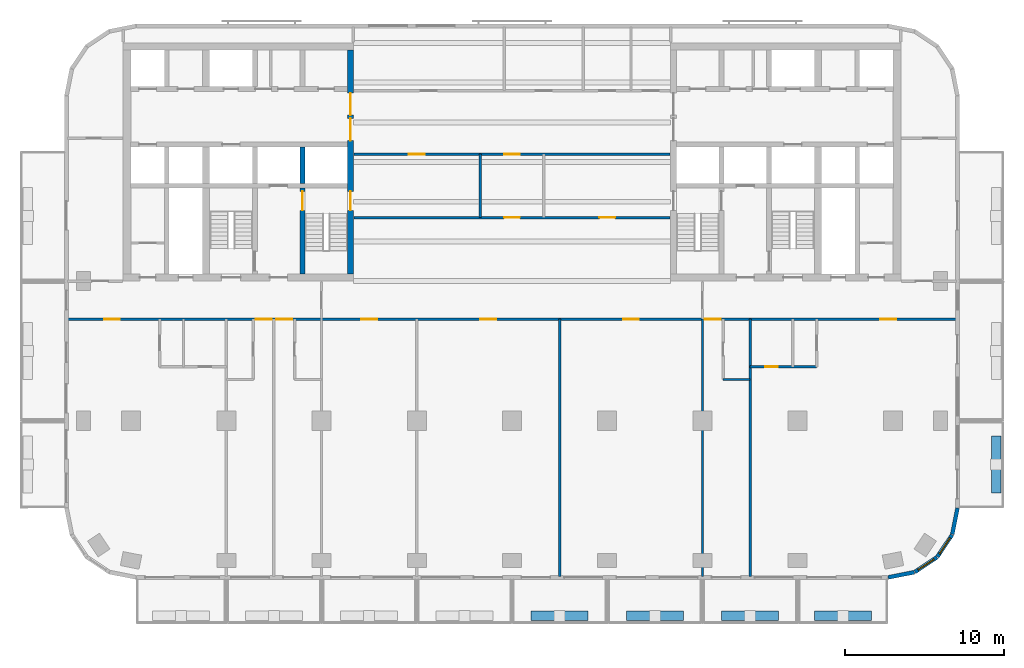
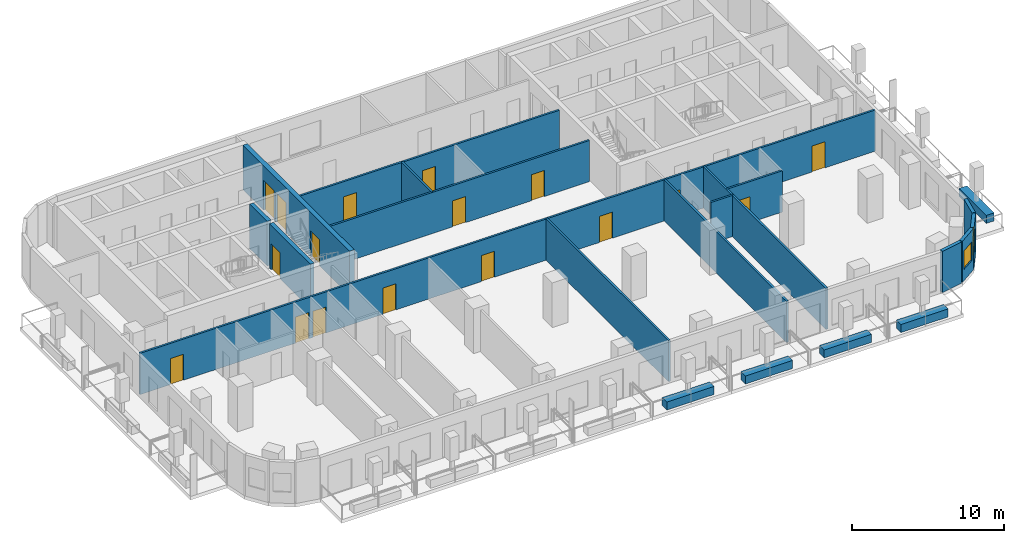
# One storey, part 4 of 11: 21 walls, 17 doors, 2 windows, 19 openings.
"""IFC4 building model written with IfcOpenShell, lengths in metres."""

from ifc_helpers import new_model, si_unit, direction, frame, frame_2d, origin, place, context, subcontext, project, spatial, rectangle, extrude, material, layer, layer_set, type_object, element, fill, save


model = new_model("IFC4")

# Units and contexts
model_context = context("Model", 3, precision=1e-05, world=origin(), true_north=direction((0.0, 1.0)))
body_context = subcontext(model_context, "Body", "Model", "MODEL_VIEW")
ifc_project = project(units=[si_unit("LENGTHUNIT", "METRE"), si_unit("AREAUNIT", "SQUARE_METRE"), si_unit("VOLUMEUNIT", "CUBIC_METRE"), si_unit("PLANEANGLEUNIT", "RADIAN"), si_unit("MASSUNIT", "GRAM", prefix="KILO")], contexts=[model_context])

# Site, building, storey
site_placement = place(None, origin())
site = spatial("IfcSite", under=ifc_project, at=site_placement, CompositionType="ELEMENT")
building_placement = place(site_placement, origin())
building = spatial("IfcBuilding", under=site, at=building_placement, Name="Torana Hotel and Residences", CompositionType="ELEMENT")
storey_placement = place(building_placement, frame((0.0, 0.0, 138.0)))
storey = spatial("IfcBuildingStorey", under=building, at=storey_placement, Name="L35", CompositionType="ELEMENT", Elevation=138.0)

# Wall
ifc_material_1 = material(Name="Concrete C70/85", Category="concrete")
ifc_layer_1 = layer(ifc_material_1, 0.300048828125)
ifc_layer_set_1 = layer_set([ifc_layer_1], Name="CORE WALL 300 C70/85")
wall_type_1 = type_object("IfcWallType", Name="CORE WALL 300 C70/85", PredefinedType="SHEAR", material=ifc_layer_set_1)
wall_1_placement = place(storey_placement, frame((-13.199951171875, -8.85009765625, 0.0), z_axis=(0.0, 0.0, 1.0), x_axis=(0.0, 1.0, 0.0)))
element("IfcWall", 1, at=wall_1_placement, inside=storey, type_object=wall_type_1, Name="Core wall W x3.05-S", PredefinedType="SHEAR", context=body_context, shape_type="SweptSolid", body=[
    extrude(rectangle(XDim=2.300048828125, YDim=0.300048828125, at=frame_2d((1.14990234375, 0.0))), origin(), (0.0, 0.0, 1.0), 3.60009765625),
])

# Wall, opening, door
wall_2_placement = place(storey_placement, frame((-13.199951171875, -14.550048828125, 0.0), z_axis=(0.0, 0.0, 1.0), x_axis=(0.0, 1.0, 0.0)))
wall_2 = element("IfcWall", 2, at=wall_2_placement, inside=storey, type_object=wall_type_1, Name="Core wall W x3.05-band", PredefinedType="SHEAR", context=body_context, shape_type="SweptSolid", body=[
    extrude(rectangle(XDim=5.400146484375, YDim=0.300048828125, at=frame_2d((2.7001953125, 0.0))), origin(), (0.0, 0.0, 1.0), 3.60009765625),
])
opening_1_placement = place(wall_2_placement, frame((4.0, 0.0, 0.0)))
opening_1 = element("IfcOpeningElement", 3, at=opening_1_placement, cuts=wall_2, Name="Opening L35-13", PredefinedType="OPENING", context=body_context, shape_type="SweptSolid", body=[
    extrude(rectangle(XDim=1.199951171875, YDim=2.10009765625, at=frame_2d((0.60009765625, 1.050048828125))), frame((0.0, 0.159912109375, 0.0), z_axis=(0.0, -1.0, 0.0), x_axis=(1.0, 0.0, 0.0)), (0.0, 0.0, 1.0), 0.320068359375),
])
ifc_material_2 = material(Name="Steel S235", Category="steel")
door_type_1 = type_object("IfcDoorType", Name="STAIR FIRE DOOR D3 1200x2100", OperationType="SINGLE_SWING_LEFT", PredefinedType="DOOR", material=ifc_material_2)
door_1_placement = place(opening_1_placement, frame((0.60009765625, 0.0, 0.0), z_axis=(0.0, 0.0, 1.0), x_axis=(-1.0, 0.0, 0.0)))
door_1 = element("IfcDoor", 4, at=door_1_placement, inside=storey, type_object=door_type_1, Name="Stair-A-lobby door L35", OperationType="SINGLE_SWING_RIGHT", OverallHeight=2.10009765625, OverallWidth=1.199951171875, PredefinedType="DOOR", context=body_context, shape_type="SweptSolid", body=[
    extrude(rectangle(XDim=1.199951171875, YDim=2.10009765625, at=frame_2d((0.0, 1.050048828125))), frame((0.0, -0.02490234375, 0.0), z_axis=(0.0, 1.0, 0.0), x_axis=(-1.0, 0.0, 0.0)), (0.0, 0.0, 1.0), 0.050048828125),
])
fill(opening_1, door_1)

# Wall, openings, doors
ifc_material_3 = material(Name="Concrete C70/85", Category="concrete")
ifc_layer_2 = layer(ifc_material_3, 0.35009765625)
ifc_layer_set_2 = layer_set([ifc_layer_2], Name="CORE WALL 350 C70/85")
wall_type_2 = type_object("IfcWallType", Name="CORE WALL 350 C70/85", PredefinedType="SHEAR", material=ifc_layer_set_2)
wall_3_placement = place(storey_placement, frame((-10.175048828125, -14.550048828125, 0.0), z_axis=(0.0, 0.0, 1.0), x_axis=(0.0, 1.0, 0.0)))
wall_3 = element("IfcWall", 5, at=wall_3_placement, inside=storey, type_object=wall_type_2, Name="Core wall W arch", PredefinedType="SHEAR", context=body_context, shape_type="SweptSolid", body=[
    extrude(rectangle(XDim=14.10009765625, YDim=0.35009765625, at=frame_2d((7.050048828125, 0.0))), origin(), (0.0, 0.0, 1.0), 3.60009765625),
])
opening_2_placement = place(wall_3_placement, frame((8.39990234375, 0.0, 0.0)))
opening_2 = element("IfcOpeningElement", 6, at=opening_2_placement, cuts=wall_3, Name="Opening L35-01", PredefinedType="OPENING", context=body_context, shape_type="SweptSolid", body=[
    extrude(rectangle(XDim=1.39990234375, YDim=2.39990234375, at=frame_2d((0.699951171875, 1.199951171875))), frame((0.0, 0.18505859375, 0.0), z_axis=(0.0, -1.0, 0.0), x_axis=(1.0, 0.0, 0.0)), (0.0, 0.0, 1.0), 0.3701171875),
])
opening_3_placement = place(wall_3_placement, frame((10.0, 0.0, 0.0)))
opening_3 = element("IfcOpeningElement", 7, at=opening_3_placement, cuts=wall_3, Name="Opening L35-02", PredefinedType="OPENING", context=body_context, shape_type="SweptSolid", body=[
    extrude(rectangle(XDim=1.39990234375, YDim=2.39990234375, at=frame_2d((0.699951171875, 1.199951171875))), frame((0.0, 0.18505859375, 0.0), z_axis=(0.0, -1.0, 0.0), x_axis=(1.0, 0.0, 0.0)), (0.0, 0.0, 1.0), 0.3701171875),
])
opening_4_placement = place(wall_3_placement, frame((4.0, 0.0, 0.0)))
opening_4 = element("IfcOpeningElement", 8, at=opening_4_placement, cuts=wall_3, Name="Opening L35-03", PredefinedType="OPENING", context=body_context, shape_type="SweptSolid", body=[
    extrude(rectangle(XDim=1.199951171875, YDim=2.10009765625, at=frame_2d((0.60009765625, 1.050048828125))), frame((0.0, 0.18505859375, 0.0), z_axis=(0.0, -1.0, 0.0), x_axis=(1.0, 0.0, 0.0)), (0.0, 0.0, 1.0), 0.3701171875),
])
ifc_material_4 = material(Name="Steel S235", Category="steel")
door_type_2 = type_object("IfcDoorType", Name="LOBBY FIRE DOOR D4 1400x2400", OperationType="DOUBLE_DOOR_SINGLE_SWING", PredefinedType="DOOR", material=ifc_material_4)
door_2_placement = place(opening_2_placement, origin())
door_2 = element("IfcDoor", 9, at=door_2_placement, inside=storey, type_object=door_type_2, Name="Lobby-1 door L35", OperationType="DOUBLE_DOOR_SINGLE_SWING", OverallHeight=2.39990234375, OverallWidth=1.39990234375, PredefinedType="DOOR", context=body_context, shape_type="SweptSolid", body=[
    extrude(rectangle(XDim=1.39990234375, YDim=2.39990234375, at=frame_2d((0.699951171875, 1.199951171875))), frame((0.0, 0.02490234375, 0.0), z_axis=(0.0, -1.0, 0.0), x_axis=(1.0, 0.0, 0.0)), (0.0, 0.0, 1.0), 0.050048828125),
])
fill(opening_2, door_2)
door_3_placement = place(opening_3_placement, origin())
door_3 = element("IfcDoor", 10, at=door_3_placement, inside=storey, type_object=door_type_2, Name="Lobby-2 door L35", OperationType="DOUBLE_DOOR_SINGLE_SWING", OverallHeight=2.39990234375, OverallWidth=1.39990234375, PredefinedType="DOOR", context=body_context, shape_type="SweptSolid", body=[
    extrude(rectangle(XDim=1.39990234375, YDim=2.39990234375, at=frame_2d((0.699951171875, 1.199951171875))), frame((0.0, 0.02490234375, 0.0), z_axis=(0.0, -1.0, 0.0), x_axis=(1.0, 0.0, 0.0)), (0.0, 0.0, 1.0), 0.050048828125),
])
fill(opening_3, door_3)
door_4_placement = place(opening_4_placement, origin())
door_4 = element("IfcDoor", 11, at=door_4_placement, inside=storey, type_object=door_type_1, Name="Stair-A door L35", OperationType="SINGLE_SWING_LEFT", OverallHeight=2.10009765625, OverallWidth=1.199951171875, PredefinedType="DOOR", context=body_context, shape_type="SweptSolid", body=[
    extrude(rectangle(XDim=1.199951171875, YDim=2.10009765625, at=frame_2d((0.60009765625, 1.050048828125))), frame((0.0, 0.02490234375, 0.0), z_axis=(0.0, -1.0, 0.0), x_axis=(1.0, 0.0, 0.0)), (0.0, 0.0, 1.0), 0.050048828125),
])
fill(opening_4, door_4)

# Wall
ifc_material_5 = material(Name="Black aluminium composite panel", Category="aluminium")
ifc_layer_3 = layer(ifc_material_5, 0.00390625, Name="Cladding", Category="cladding")
ifc_material_6 = material(Name="Ventilated air cavity")
ifc_layer_4 = layer(ifc_material_6, 0.0400390625, Name="Ventilated cavity", Category="cavity")
ifc_material_7 = material(Name="Mineral wool insulation")
ifc_layer_5 = layer(ifc_material_7, 0.090087890625, Name="Insulation", Category="insulation")
ifc_material_8 = material(Name="Steel S280GD", Category="steel")
ifc_layer_6 = layer(ifc_material_8, 0.092041015625, Name="Steel stud frame", Category="structure")
ifc_material_9 = material(Name="Fire rated plasterboard")
ifc_layer_7 = layer(ifc_material_9, 0.011962890625, Name="Inner board", Category="finish")
ifc_layer_8 = layer(ifc_material_9, 0.011962890625, Name="Second board", Category="finish")
ifc_layer_set_3 = layer_set([ifc_layer_3, ifc_layer_4, ifc_layer_5, ifc_layer_6, ifc_layer_7, ifc_layer_8], Name="EW1 EXTERNAL WALL BLACK METAL CLAD 250")
wall_type_3 = type_object("IfcWallType", Name="EW1 EXTERNAL WALL BLACK METAL CLAD 250", PredefinedType="SOLIDWALL", material=ifc_layer_set_3)
wall_4_placement = place(storey_placement, frame((23.69970703125, -33.672607421875, 0.0), z_axis=(0.0, 0.0, 1.0), x_axis=(0.980775640221, 0.19513878023, 0.0)))
element("IfcWall", 12, at=wall_4_placement, inside=storey, type_object=wall_type_3, Name="External wall L35 e0.15", PredefinedType="SOLIDWALL", context=body_context, shape_type="SweptSolid", body=[
    extrude(rectangle(XDim=1.681396484375, YDim=0.25, at=frame_2d((0.8408203125, 0.0))), origin(), (0.0, 0.0, 1.0), 3.320068359375),
])

# Wall, opening, window
wall_5_placement = place(storey_placement, frame((25.39404296875, -33.325927734375, 0.0), z_axis=(0.0, 0.0, 1.0), x_axis=(0.831482937015, 0.55555029066, 0.0)))
wall_5 = element("IfcWall", 13, at=wall_5_placement, inside=storey, type_object=wall_type_3, Name="External wall L35 e0.16", PredefinedType="SOLIDWALL", context=body_context, shape_type="SweptSolid", body=[
    extrude(rectangle(XDim=1.65625, YDim=0.25, at=frame_2d((0.828125, 0.0))), origin(), (0.0, 0.0, 1.0), 3.320068359375),
])
opening_5_placement = place(wall_5_placement, frame((0.228271484375, 0.0, 0.89990234375)))
opening_5 = element("IfcOpeningElement", 14, at=opening_5_placement, cuts=wall_5, Name="Opening W5", PredefinedType="OPENING", context=body_context, shape_type="SweptSolid", body=[
    extrude(rectangle(XDim=1.199951171875, YDim=1.5, at=frame_2d((0.60009765625, 0.75))), frame((0.0, 0.135009765625, 0.0), z_axis=(0.0, -1.0, 0.0), x_axis=(1.0, 0.0, 0.0)), (0.0, 0.0, 1.0), 0.27001953125),
])
ifc_material_10 = material(Name="Dark glass in black aluminium frame", Category="aluminium")
window_type = type_object("IfcWindowType", Name="W5 CORNER FACET WINDOW 1200x1500", PartitioningType="SINGLE_PANEL", PredefinedType="WINDOW", material=ifc_material_10)
window_1_placement = place(opening_5_placement, origin())
window_1 = element("IfcWindow", 15, at=window_1_placement, inside=storey, type_object=window_type, Name="Window L35 e0.16", OverallHeight=1.5, OverallWidth=1.199951171875, PartitioningType="SINGLE_PANEL", PredefinedType="WINDOW", context=body_context, shape_type="SweptSolid", body=[
    extrude(rectangle(XDim=1.199951171875, YDim=1.5, at=frame_2d((0.60009765625, 0.75))), frame((0.0, 0.030029296875, 0.0), z_axis=(0.0, -1.0, 0.0), x_axis=(1.0, 0.0, 0.0)), (0.0, 0.0, 1.0), 0.06005859375),
])
fill(opening_5, window_1)

wall_6_placement = place(storey_placement, frame((26.8056640625, -32.37109375, 0.0), z_axis=(0.0, 0.0, 1.0), x_axis=(0.55555029066, 0.831482937015, 0.0)))
wall_6 = element("IfcWall", 16, at=wall_6_placement, inside=storey, type_object=wall_type_3, Name="External wall L35 e0.17", PredefinedType="SOLIDWALL", context=body_context, shape_type="SweptSolid", body=[
    extrude(rectangle(XDim=1.65625, YDim=0.25, at=frame_2d((0.828125, 0.0))), origin(), (0.0, 0.0, 1.0), 3.320068359375),
])
opening_6_placement = place(wall_6_placement, frame((0.228271484375, 0.0, 0.89990234375)))
opening_6 = element("IfcOpeningElement", 17, at=opening_6_placement, cuts=wall_6, Name="Opening W5", PredefinedType="OPENING", context=body_context, shape_type="SweptSolid", body=[
    extrude(rectangle(XDim=1.199951171875, YDim=1.5, at=frame_2d((0.60009765625, 0.75))), frame((0.0, 0.135009765625, 0.0), z_axis=(0.0, -1.0, 0.0), x_axis=(1.0, 0.0, 0.0)), (0.0, 0.0, 1.0), 0.27001953125),
])
window_2_placement = place(opening_6_placement, origin())
window_2 = element("IfcWindow", 18, at=window_2_placement, inside=storey, type_object=window_type, Name="Window L35 e0.17", OverallHeight=1.5, OverallWidth=1.199951171875, PartitioningType="SINGLE_PANEL", PredefinedType="WINDOW", context=body_context, shape_type="SweptSolid", body=[
    extrude(rectangle(XDim=1.199951171875, YDim=1.5, at=frame_2d((0.60009765625, 0.75))), frame((0.0, 0.030029296875, 0.0), z_axis=(0.0, -1.0, 0.0), x_axis=(1.0, 0.0, 0.0)), (0.0, 0.0, 1.0), 0.06005859375),
])
fill(opening_6, window_2)

# Walls
wall_7_placement = place(storey_placement, frame((27.74462890625, -30.948974609375, 0.0), z_axis=(0.0, 0.0, 1.0), x_axis=(0.194999110559, 0.980803419081, 0.0)))
element("IfcWall", 19, at=wall_7_placement, inside=storey, type_object=wall_type_3, Name="External wall L35 e0.18", PredefinedType="SOLIDWALL", context=body_context, shape_type="SweptSolid", body=[
    extrude(rectangle(XDim=1.681396484375, YDim=0.25, at=frame_2d((0.8408203125, 0.0))), origin(), (0.0, 0.0, 1.0), 3.320068359375),
])
ifc_material_11 = material(Name="Gypsum plaster")
ifc_layer_9 = layer(ifc_material_11, 0.014892578125, Name="Plaster", Category="finish")
ifc_material_12 = material(Name="Concrete blockwork", Category="masonry")
ifc_layer_10 = layer(ifc_material_12, 0.1201171875, Name="Blockwork", Category="structure")
ifc_layer_11 = layer(ifc_material_11, 0.014892578125, Name="Plaster", Category="finish")
ifc_layer_set_4 = layer_set([ifc_layer_9, ifc_layer_10, ifc_layer_11], Name="FIRE PARTITION 150 BLOCKWORK")
wall_type_4 = type_object("IfcWallType", Name="FIRE PARTITION 150 BLOCKWORK", PredefinedType="PARTITIONING", material=ifc_layer_set_4)
wall_8_placement = place(storey_placement, frame((-2.0, -11.0, 0.0), z_axis=(0.0, 0.0, 1.0), x_axis=(0.0, 1.0, 0.0)))
element("IfcWall", 20, at=wall_8_placement, inside=storey, type_object=wall_type_4, Name="Partition L35", PredefinedType="PARTITIONING", context=body_context, shape_type="SweptSolid", body=[
    extrude(rectangle(XDim=4.0, YDim=0.14990234375, at=frame_2d((2.0, 0.0))), origin(), (0.0, 0.0, 1.0), 3.320068359375),
])

# Wall, openings, doors
wall_9_placement = place(storey_placement, frame((-28.02001953125, -17.39990234375, 0.0), z_axis=(0.0, 0.0, 1.0), x_axis=(1.0, 0.0, 0.0)))
wall_9 = element("IfcWall", 21, at=wall_9_placement, inside=storey, type_object=wall_type_4, Name="Partition L35", PredefinedType="PARTITIONING", context=body_context, shape_type="SweptSolid", body=[
    extrude(rectangle(XDim=56.0400390625, YDim=0.14990234375, at=frame_2d((28.02001953125, 0.0))), origin(), (0.0, 0.0, 1.0), 3.320068359375),
])
opening_7_placement = place(wall_9_placement, frame((13.169921875, 0.0, 0.0)))
opening_7 = element("IfcOpeningElement", 22, at=opening_7_placement, cuts=wall_9, Name="Opening L35-32", PredefinedType="OPENING", context=body_context, shape_type="SweptSolid", body=[
    extrude(rectangle(XDim=1.0, YDim=2.10009765625, at=frame_2d((0.5, 1.050048828125))), frame((0.0, 0.0849609375, 0.0), z_axis=(0.0, -1.0, 0.0), x_axis=(1.0, 0.0, 0.0)), (0.0, 0.0, 1.0), 0.169921875),
])
opening_8_placement = place(wall_9_placement, frame((11.8701171875, 0.0, 0.0)))
opening_8 = element("IfcOpeningElement", 23, at=opening_8_placement, cuts=wall_9, Name="Opening L35-33", PredefinedType="OPENING", context=body_context, shape_type="SweptSolid", body=[
    extrude(rectangle(XDim=1.0, YDim=2.10009765625, at=frame_2d((0.5, 1.050048828125))), frame((0.0, 0.0849609375, 0.0), z_axis=(0.0, -1.0, 0.0), x_axis=(1.0, 0.0, 0.0)), (0.0, 0.0, 1.0), 0.169921875),
])
opening_9_placement = place(wall_9_placement, frame((2.320068359375, 0.0, 0.0)))
opening_9 = element("IfcOpeningElement", 24, at=opening_9_placement, cuts=wall_9, Name="Opening L35-34", PredefinedType="OPENING", context=body_context, shape_type="SweptSolid", body=[
    extrude(rectangle(XDim=1.0, YDim=2.10009765625, at=frame_2d((0.5, 1.050048828125))), frame((0.0, 0.0849609375, 0.0), z_axis=(0.0, -1.0, 0.0), x_axis=(1.0, 0.0, 0.0)), (0.0, 0.0, 1.0), 0.169921875),
])
opening_10_placement = place(wall_9_placement, frame((40.169921875, 0.0, 0.0)))
opening_10 = element("IfcOpeningElement", 25, at=opening_10_placement, cuts=wall_9, Name="Opening L35-37", PredefinedType="OPENING", context=body_context, shape_type="SweptSolid", body=[
    extrude(rectangle(XDim=1.0, YDim=2.10009765625, at=frame_2d((0.5, 1.050048828125))), frame((0.0, 0.0849609375, 0.0), z_axis=(0.0, -1.0, 0.0), x_axis=(1.0, 0.0, 0.0)), (0.0, 0.0, 1.0), 0.169921875),
])
opening_11_placement = place(wall_9_placement, frame((51.219970703125, 0.0, 0.0)))
opening_11 = element("IfcOpeningElement", 26, at=opening_11_placement, cuts=wall_9, Name="Opening L35-38", PredefinedType="OPENING", context=body_context, shape_type="SweptSolid", body=[
    extrude(rectangle(XDim=1.0, YDim=2.10009765625, at=frame_2d((0.5, 1.050048828125))), frame((0.0, 0.0849609375, 0.0), z_axis=(0.0, -1.0, 0.0), x_axis=(1.0, 0.0, 0.0)), (0.0, 0.0, 1.0), 0.169921875),
])
opening_12_placement = place(wall_9_placement, frame((18.52001953125, 0.0, 0.0)))
opening_12 = element("IfcOpeningElement", 27, at=opening_12_placement, cuts=wall_9, Name="Opening L35-41", PredefinedType="OPENING", context=body_context, shape_type="SweptSolid", body=[
    extrude(rectangle(XDim=1.0, YDim=2.10009765625, at=frame_2d((0.5, 1.050048828125))), frame((0.0, 0.0849609375, 0.0), z_axis=(0.0, -1.0, 0.0), x_axis=(1.0, 0.0, 0.0)), (0.0, 0.0, 1.0), 0.169921875),
])
opening_13_placement = place(wall_9_placement, frame((26.02001953125, 0.0, 0.0)))
opening_13 = element("IfcOpeningElement", 28, at=opening_13_placement, cuts=wall_9, Name="Opening L35-42", PredefinedType="OPENING", context=body_context, shape_type="SweptSolid", body=[
    extrude(rectangle(XDim=1.0, YDim=2.10009765625, at=frame_2d((0.5, 1.050048828125))), frame((0.0, 0.0849609375, 0.0), z_axis=(0.0, -1.0, 0.0), x_axis=(1.0, 0.0, 0.0)), (0.0, 0.0, 1.0), 0.169921875),
])
opening_14_placement = place(wall_9_placement, frame((35.02001953125, 0.0, 0.0)))
opening_14 = element("IfcOpeningElement", 29, at=opening_14_placement, cuts=wall_9, Name="Opening L35-43", PredefinedType="OPENING", context=body_context, shape_type="SweptSolid", body=[
    extrude(rectangle(XDim=1.0, YDim=2.10009765625, at=frame_2d((0.5, 1.050048828125))), frame((0.0, 0.0849609375, 0.0), z_axis=(0.0, -1.0, 0.0), x_axis=(1.0, 0.0, 0.0)), (0.0, 0.0, 1.0), 0.169921875),
])
ifc_material_13 = material(Name="Steel S235", Category="steel")
door_type_3 = type_object("IfcDoorType", Name="ENTRY FIRE DOOR D6 1000x2100", OperationType="SINGLE_SWING_LEFT", PredefinedType="DOOR", material=ifc_material_13)
door_5_placement = place(opening_7_placement, frame((0.5, 0.0, 0.0), z_axis=(0.0, 0.0, 1.0), x_axis=(-1.0, 0.0, 0.0)))
door_5 = element("IfcDoor", 30, at=door_5_placement, inside=storey, type_object=door_type_3, Name="Door L35", OperationType="SINGLE_SWING_LEFT", OverallHeight=2.10009765625, OverallWidth=1.0, PredefinedType="DOOR", context=body_context, shape_type="SweptSolid", body=[
    extrude(rectangle(XDim=1.0, YDim=2.10009765625, at=frame_2d((0.0, 1.050048828125))), frame((0.0, -0.02490234375, 0.0), z_axis=(0.0, 1.0, 0.0), x_axis=(-1.0, 0.0, 0.0)), (0.0, 0.0, 1.0), 0.050048828125),
])
fill(opening_7, door_5)
door_6_placement = place(opening_8_placement, frame((0.5, 0.0, 0.0), z_axis=(0.0, 0.0, 1.0), x_axis=(-1.0, 0.0, 0.0)))
door_6 = element("IfcDoor", 31, at=door_6_placement, inside=storey, type_object=door_type_3, Name="Door L35", OperationType="SINGLE_SWING_LEFT", OverallHeight=2.10009765625, OverallWidth=1.0, PredefinedType="DOOR", context=body_context, shape_type="SweptSolid", body=[
    extrude(rectangle(XDim=1.0, YDim=2.10009765625, at=frame_2d((0.0, 1.050048828125))), frame((0.0, -0.02490234375, 0.0), z_axis=(0.0, 1.0, 0.0), x_axis=(-1.0, 0.0, 0.0)), (0.0, 0.0, 1.0), 0.050048828125),
])
fill(opening_8, door_6)
door_7_placement = place(opening_9_placement, frame((0.5, 0.0, 0.0), z_axis=(0.0, 0.0, 1.0), x_axis=(-1.0, 0.0, 0.0)))
door_7 = element("IfcDoor", 32, at=door_7_placement, inside=storey, type_object=door_type_3, Name="Door L35", OperationType="SINGLE_SWING_LEFT", OverallHeight=2.10009765625, OverallWidth=1.0, PredefinedType="DOOR", context=body_context, shape_type="SweptSolid", body=[
    extrude(rectangle(XDim=1.0, YDim=2.10009765625, at=frame_2d((0.0, 1.050048828125))), frame((0.0, -0.02490234375, 0.0), z_axis=(0.0, 1.0, 0.0), x_axis=(-1.0, 0.0, 0.0)), (0.0, 0.0, 1.0), 0.050048828125),
])
fill(opening_9, door_7)
door_8_placement = place(opening_10_placement, frame((0.5, 0.0, 0.0), z_axis=(0.0, 0.0, 1.0), x_axis=(-1.0, 0.0, 0.0)))
door_8 = element("IfcDoor", 33, at=door_8_placement, inside=storey, type_object=door_type_3, Name="Door L35", OperationType="SINGLE_SWING_LEFT", OverallHeight=2.10009765625, OverallWidth=1.0, PredefinedType="DOOR", context=body_context, shape_type="SweptSolid", body=[
    extrude(rectangle(XDim=1.0, YDim=2.10009765625, at=frame_2d((0.0, 1.050048828125))), frame((0.0, -0.02490234375, 0.0), z_axis=(0.0, 1.0, 0.0), x_axis=(-1.0, 0.0, 0.0)), (0.0, 0.0, 1.0), 0.050048828125),
])
fill(opening_10, door_8)
door_9_placement = place(opening_11_placement, frame((0.5, 0.0, 0.0), z_axis=(0.0, 0.0, 1.0), x_axis=(-1.0, 0.0, 0.0)))
door_9 = element("IfcDoor", 34, at=door_9_placement, inside=storey, type_object=door_type_3, Name="Door L35", OperationType="SINGLE_SWING_LEFT", OverallHeight=2.10009765625, OverallWidth=1.0, PredefinedType="DOOR", context=body_context, shape_type="SweptSolid", body=[
    extrude(rectangle(XDim=1.0, YDim=2.10009765625, at=frame_2d((0.0, 1.050048828125))), frame((0.0, -0.02490234375, 0.0), z_axis=(0.0, 1.0, 0.0), x_axis=(-1.0, 0.0, 0.0)), (0.0, 0.0, 1.0), 0.050048828125),
])
fill(opening_11, door_9)
door_10_placement = place(opening_12_placement, frame((0.5, 0.0, 0.0), z_axis=(0.0, 0.0, 1.0), x_axis=(-1.0, 0.0, 0.0)))
door_10 = element("IfcDoor", 35, at=door_10_placement, inside=storey, type_object=door_type_3, Name="Door L35", OperationType="SINGLE_SWING_LEFT", OverallHeight=2.10009765625, OverallWidth=1.0, PredefinedType="DOOR", context=body_context, shape_type="SweptSolid", body=[
    extrude(rectangle(XDim=1.0, YDim=2.10009765625, at=frame_2d((0.0, 1.050048828125))), frame((0.0, -0.02490234375, 0.0), z_axis=(0.0, 1.0, 0.0), x_axis=(-1.0, 0.0, 0.0)), (0.0, 0.0, 1.0), 0.050048828125),
])
fill(opening_12, door_10)
door_11_placement = place(opening_13_placement, frame((0.5, 0.0, 0.0), z_axis=(0.0, 0.0, 1.0), x_axis=(-1.0, 0.0, 0.0)))
door_11 = element("IfcDoor", 36, at=door_11_placement, inside=storey, type_object=door_type_3, Name="Door L35", OperationType="SINGLE_SWING_LEFT", OverallHeight=2.10009765625, OverallWidth=1.0, PredefinedType="DOOR", context=body_context, shape_type="SweptSolid", body=[
    extrude(rectangle(XDim=1.0, YDim=2.10009765625, at=frame_2d((0.0, 1.050048828125))), frame((0.0, -0.02490234375, 0.0), z_axis=(0.0, 1.0, 0.0), x_axis=(-1.0, 0.0, 0.0)), (0.0, 0.0, 1.0), 0.050048828125),
])
fill(opening_13, door_11)
door_12_placement = place(opening_14_placement, frame((0.5, 0.0, 0.0), z_axis=(0.0, 0.0, 1.0), x_axis=(-1.0, 0.0, 0.0)))
door_12 = element("IfcDoor", 37, at=door_12_placement, inside=storey, type_object=door_type_3, Name="Door L35", OperationType="SINGLE_SWING_LEFT", OverallHeight=2.10009765625, OverallWidth=1.0, PredefinedType="DOOR", context=body_context, shape_type="SweptSolid", body=[
    extrude(rectangle(XDim=1.0, YDim=2.10009765625, at=frame_2d((0.0, 1.050048828125))), frame((0.0, -0.02490234375, 0.0), z_axis=(0.0, 1.0, 0.0), x_axis=(-1.0, 0.0, 0.0)), (0.0, 0.0, 1.0), 0.050048828125),
])
fill(opening_14, door_12)

wall_10_placement = place(storey_placement, frame((-9.949951171875, -11.0, 0.0), z_axis=(0.0, 0.0, 1.0), x_axis=(1.0, 0.0, 0.0)))
wall_10 = element("IfcWall", 38, at=wall_10_placement, inside=storey, type_object=wall_type_4, Name="Partition L35", PredefinedType="PARTITIONING", context=body_context, shape_type="SweptSolid", body=[
    extrude(rectangle(XDim=19.89990234375, YDim=0.14990234375, at=frame_2d((9.949951171875, 0.0))), origin(), (0.0, 0.0, 1.0), 3.320068359375),
])
opening_15_placement = place(wall_10_placement, frame((9.449951171875, 0.0, 0.0)))
opening_15 = element("IfcOpeningElement", 39, at=opening_15_placement, cuts=wall_10, Name="Opening L35-40", PredefinedType="OPENING", context=body_context, shape_type="SweptSolid", body=[
    extrude(rectangle(XDim=1.0, YDim=2.10009765625, at=frame_2d((0.5, 1.050048828125))), frame((0.0, 0.0849609375, 0.0), z_axis=(0.0, -1.0, 0.0), x_axis=(1.0, 0.0, 0.0)), (0.0, 0.0, 1.0), 0.169921875),
])
opening_16_placement = place(wall_10_placement, frame((15.449951171875, 0.0, 0.0)))
opening_16 = element("IfcOpeningElement", 40, at=opening_16_placement, cuts=wall_10, Name="Opening L35-44", PredefinedType="OPENING", context=body_context, shape_type="SweptSolid", body=[
    extrude(rectangle(XDim=1.0, YDim=2.10009765625, at=frame_2d((0.5, 1.050048828125))), frame((0.0, 0.0849609375, 0.0), z_axis=(0.0, -1.0, 0.0), x_axis=(1.0, 0.0, 0.0)), (0.0, 0.0, 1.0), 0.169921875),
])
door_13_placement = place(opening_15_placement, origin())
door_13 = element("IfcDoor", 41, at=door_13_placement, inside=storey, type_object=door_type_3, Name="Door L35", OperationType="SINGLE_SWING_RIGHT", OverallHeight=2.10009765625, OverallWidth=1.0, PredefinedType="DOOR", context=body_context, shape_type="SweptSolid", body=[
    extrude(rectangle(XDim=1.0, YDim=2.10009765625, at=frame_2d((0.5, 1.050048828125))), frame((0.0, 0.02490234375, 0.0), z_axis=(0.0, -1.0, 0.0), x_axis=(1.0, 0.0, 0.0)), (0.0, 0.0, 1.0), 0.050048828125),
])
fill(opening_15, door_13)
door_14_placement = place(opening_16_placement, origin())
door_14 = element("IfcDoor", 42, at=door_14_placement, inside=storey, type_object=door_type_3, Name="Door L35", OperationType="SINGLE_SWING_RIGHT", OverallHeight=2.10009765625, OverallWidth=1.0, PredefinedType="DOOR", context=body_context, shape_type="SweptSolid", body=[
    extrude(rectangle(XDim=1.0, YDim=2.10009765625, at=frame_2d((0.5, 1.050048828125))), frame((0.0, 0.02490234375, 0.0), z_axis=(0.0, -1.0, 0.0), x_axis=(1.0, 0.0, 0.0)), (0.0, 0.0, 1.0), 0.050048828125),
])
fill(opening_16, door_14)

wall_11_placement = place(storey_placement, frame((-9.949951171875, -7.0, 0.0), z_axis=(0.0, 0.0, 1.0), x_axis=(1.0, 0.0, 0.0)))
wall_11 = element("IfcWall", 43, at=wall_11_placement, inside=storey, type_object=wall_type_4, Name="Partition L35", PredefinedType="PARTITIONING", context=body_context, shape_type="SweptSolid", body=[
    extrude(rectangle(XDim=19.89990234375, YDim=0.14990234375, at=frame_2d((9.949951171875, 0.0))), origin(), (0.0, 0.0, 1.0), 3.320068359375),
])
opening_17_placement = place(wall_11_placement, frame((9.449951171875, 0.0, 0.0)))
opening_17 = element("IfcOpeningElement", 44, at=opening_17_placement, cuts=wall_11, Name="Opening L35-45", PredefinedType="OPENING", context=body_context, shape_type="SweptSolid", body=[
    extrude(rectangle(XDim=1.0, YDim=2.10009765625, at=frame_2d((0.5, 1.050048828125))), frame((0.0, 0.0849609375, 0.0), z_axis=(0.0, -1.0, 0.0), x_axis=(1.0, 0.0, 0.0)), (0.0, 0.0, 1.0), 0.169921875),
])
opening_18_placement = place(wall_11_placement, frame((3.449951171875, 0.0, 0.0)))
opening_18 = element("IfcOpeningElement", 45, at=opening_18_placement, cuts=wall_11, Name="Opening L35-46", PredefinedType="OPENING", context=body_context, shape_type="SweptSolid", body=[
    extrude(rectangle(XDim=1.0, YDim=2.10009765625, at=frame_2d((0.5, 1.050048828125))), frame((0.0, 0.0849609375, 0.0), z_axis=(0.0, -1.0, 0.0), x_axis=(1.0, 0.0, 0.0)), (0.0, 0.0, 1.0), 0.169921875),
])
door_15_placement = place(opening_17_placement, origin())
door_15 = element("IfcDoor", 46, at=door_15_placement, inside=storey, type_object=door_type_3, Name="Door L35", OperationType="SINGLE_SWING_RIGHT", OverallHeight=2.10009765625, OverallWidth=1.0, PredefinedType="DOOR", context=body_context, shape_type="SweptSolid", body=[
    extrude(rectangle(XDim=1.0, YDim=2.10009765625, at=frame_2d((0.5, 1.050048828125))), frame((0.0, 0.02490234375, 0.0), z_axis=(0.0, -1.0, 0.0), x_axis=(1.0, 0.0, 0.0)), (0.0, 0.0, 1.0), 0.050048828125),
])
fill(opening_17, door_15)
door_16_placement = place(opening_18_placement, frame((0.5, 0.0, 0.0), z_axis=(0.0, 0.0, 1.0), x_axis=(-1.0, 0.0, 0.0)))
door_16 = element("IfcDoor", 47, at=door_16_placement, inside=storey, type_object=door_type_3, Name="Door L35", OperationType="SINGLE_SWING_LEFT", OverallHeight=2.10009765625, OverallWidth=1.0, PredefinedType="DOOR", context=body_context, shape_type="SweptSolid", body=[
    extrude(rectangle(XDim=1.0, YDim=2.10009765625, at=frame_2d((0.0, 1.050048828125))), frame((0.0, -0.02490234375, 0.0), z_axis=(0.0, 1.0, 0.0), x_axis=(-1.0, 0.0, 0.0)), (0.0, 0.0, 1.0), 0.050048828125),
])
fill(opening_18, door_16)

# Walls
ifc_material_14 = material(Name="Gypsum plasterboard")
ifc_layer_12 = layer(ifc_material_14, 0.012451171875, Name="Plasterboard", Category="finish")
ifc_layer_13 = layer(ifc_material_14, 0.012451171875, Name="Plasterboard", Category="finish")
ifc_layer_14 = layer(ifc_material_8, 0.10009765625, Name="Steel studs with mineral wool", Category="insulation")
ifc_layer_15 = layer(ifc_material_14, 0.012451171875, Name="Plasterboard", Category="finish")
ifc_layer_16 = layer(ifc_material_14, 0.012451171875, Name="Plasterboard", Category="finish")
ifc_layer_set_5 = layer_set([ifc_layer_12, ifc_layer_13, ifc_layer_14, ifc_layer_15, ifc_layer_16], Name="PARTITION 150 PLASTERBOARD")
wall_type_5 = type_object("IfcWallType", Name="PARTITION 150 PLASTERBOARD", PredefinedType="PARTITIONING", material=ifc_layer_set_5)
for number, where, z_axis, x_axis, name in (
    (48, (15.0, -33.6201171875, 0.0), (0.0, 0.0, 1.0), (0.0, 1.0, 0.0), "Partition L35"),
    (49, (12.0, -33.6201171875, 0.0), (0.0, 0.0, 1.0), (0.0, 1.0, 0.0), "Partition L35"),
    (50, (3.0, -33.6201171875, 0.0), (0.0, 0.0, 1.0), (0.0, 1.0, 0.0), "Partition L35"),
):
    element("IfcWall", number, at=place(storey_placement, frame(where, z_axis=z_axis, x_axis=x_axis)), inside=storey, type_object=wall_type_5, Name=name, PredefinedType="PARTITIONING", context=body_context, shape_type="SweptSolid", body=[
        extrude(rectangle(XDim=16.22021484375, YDim=0.14990234375, at=frame_2d((8.110107421875, 0.0))), origin(), (0.0, 0.0, 1.0), 3.320068359375),
    ])
wall_12_placement = place(storey_placement, frame((13.300048828125, -21.199951171875, 0.0), z_axis=(0.0, 0.0, 1.0), x_axis=(1.0, 0.0, 0.0)))
element("IfcWall", 51, at=wall_12_placement, inside=storey, type_object=wall_type_5, Name="Partition L35", PredefinedType="PARTITIONING", context=body_context, shape_type="SweptSolid", body=[
    extrude(rectangle(XDim=1.699951171875, YDim=0.14990234375, at=frame_2d((0.85009765625, 0.0))), origin(), (0.0, 0.0, 1.0), 3.320068359375),
])

# Wall, opening, door
wall_13_placement = place(storey_placement, frame((15.0, -20.39990234375, 0.0), z_axis=(0.0, 0.0, 1.0), x_axis=(1.0, 0.0, 0.0)))
wall_13 = element("IfcWall", 52, at=wall_13_placement, inside=storey, type_object=wall_type_5, Name="Partition L35", PredefinedType="PARTITIONING", context=body_context, shape_type="SweptSolid", body=[
    extrude(rectangle(XDim=4.199951171875, YDim=0.14990234375, at=frame_2d((2.10009765625, 0.0))), origin(), (0.0, 0.0, 1.0), 3.320068359375),
])
opening_19_placement = place(wall_13_placement, frame((0.949951171875, 0.0, 0.0)))
opening_19 = element("IfcOpeningElement", 53, at=opening_19_placement, cuts=wall_13, Name="Opening L35-56", PredefinedType="OPENING", context=body_context, shape_type="SweptSolid", body=[
    extrude(rectangle(XDim=0.800048828125, YDim=2.10009765625, at=frame_2d((0.39990234375, 1.050048828125))), frame((0.0, 0.0849609375, 0.0), z_axis=(0.0, -1.0, 0.0), x_axis=(1.0, 0.0, 0.0)), (0.0, 0.0, 1.0), 0.169921875),
])
ifc_material_15 = material(Name="Timber door, painted", Category="wood")
door_type_4 = type_object("IfcDoorType", Name="BATH DOOR D13 800x2100", OperationType="SINGLE_SWING_LEFT", PredefinedType="DOOR", material=ifc_material_15)
door_17_placement = place(opening_19_placement, origin())
door_17 = element("IfcDoor", 54, at=door_17_placement, inside=storey, type_object=door_type_4, Name="Door L35", OperationType="SINGLE_SWING_RIGHT", OverallHeight=2.10009765625, OverallWidth=0.800048828125, PredefinedType="DOOR", context=body_context, shape_type="SweptSolid", body=[
    extrude(rectangle(XDim=0.800048828125, YDim=2.10009765625, at=frame_2d((0.39990234375, 1.050048828125))), frame((0.0, 0.02490234375, 0.0), z_axis=(0.0, -1.0, 0.0), x_axis=(1.0, 0.0, 0.0)), (0.0, 0.0, 1.0), 0.050048828125),
])
fill(opening_19, door_17)

# Walls
ifc_material_16 = material(Name="Concrete C40/50 precast", Category="concrete")
ifc_layer_17 = layer(ifc_material_16, 0.10009765625, Name="Planter shell", Category="structure")
ifc_material_17 = material(Name="Root resistant membrane")
ifc_layer_18 = layer(ifc_material_17, 0.00390625, Name="Waterproofing membrane", Category="membrane")
ifc_material_18 = material(Name="Drainage board with filter fleece")
ifc_layer_19 = layer(ifc_material_18, 0.02001953125, Name="Drainage board", Category="drainage")
ifc_material_19 = material(Name="Growing medium")
ifc_layer_20 = layer(ifc_material_19, 0.47607421875, Name="Planting substrate", Category="soil")
ifc_layer_set_6 = layer_set([ifc_layer_17, ifc_layer_18, ifc_layer_19, ifc_layer_20], Name="PL1 BALCONY PLANTER 600")
wall_type_6 = type_object("IfcWallType", Name="PL1 BALCONY PLANTER 600", PredefinedType="USERDEFINED", material=ifc_layer_set_6)
for number, where, z_axis, x_axis, name in (
    (55, (4.800048828125, -36.10009765625, 0.0), (0.0, 0.0, 1.0), (-1.0, 0.0, 0.0), "Planter 05"),
    (56, (10.800048828125, -36.10009765625, 0.0), (0.0, 0.0, 1.0), (-1.0, 0.0, 0.0), "Planter 06"),
    (57, (16.800048828125, -36.10009765625, 0.0), (0.0, 0.0, 1.0), (-1.0, 0.0, 0.0), "Planter 07"),
):
    element("IfcWall", number, at=place(storey_placement, frame(where, z_axis=z_axis, x_axis=x_axis)), inside=storey, type_object=wall_type_6, Name=name, ObjectType="PLANTER", PredefinedType="USERDEFINED", context=body_context, shape_type="SweptSolid", body=[
        extrude(rectangle(XDim=3.60009765625, YDim=0.60009765625, at=frame_2d((1.800048828125, 0.0))), origin(), (0.0, 0.0, 1.0), 0.64990234375),
    ])
wall_14_placement = place(storey_placement, frame((22.64990234375, -36.10009765625, 0.0), z_axis=(0.0, 0.0, 1.0), x_axis=(-1.0, 0.0, 0.0)))
element("IfcWall", 58, at=wall_14_placement, inside=storey, type_object=wall_type_6, Name="Planter 08", ObjectType="PLANTER", PredefinedType="USERDEFINED", context=body_context, shape_type="SweptSolid", body=[
    extrude(rectangle(XDim=3.599853515625, YDim=0.60009765625, at=frame_2d((1.7998046875, 0.0))), origin(), (0.0, 0.0, 1.0), 0.64990234375),
])
wall_15_placement = place(storey_placement, frame((30.5, -24.75, 0.0), z_axis=(0.0, 0.0, 1.0), x_axis=(0.0, -1.0, 0.0)))
element("IfcWall", 59, at=wall_15_placement, inside=storey, type_object=wall_type_6, Name="Planter 12", ObjectType="PLANTER", PredefinedType="USERDEFINED", context=body_context, shape_type="SweptSolid", body=[
    extrude(rectangle(XDim=3.60009765625, YDim=0.60009765625, at=frame_2d((1.800048828125, 0.0))), origin(), (0.0, 0.0, 1.0), 0.64990234375),
])

save(model, "model.ifc")
